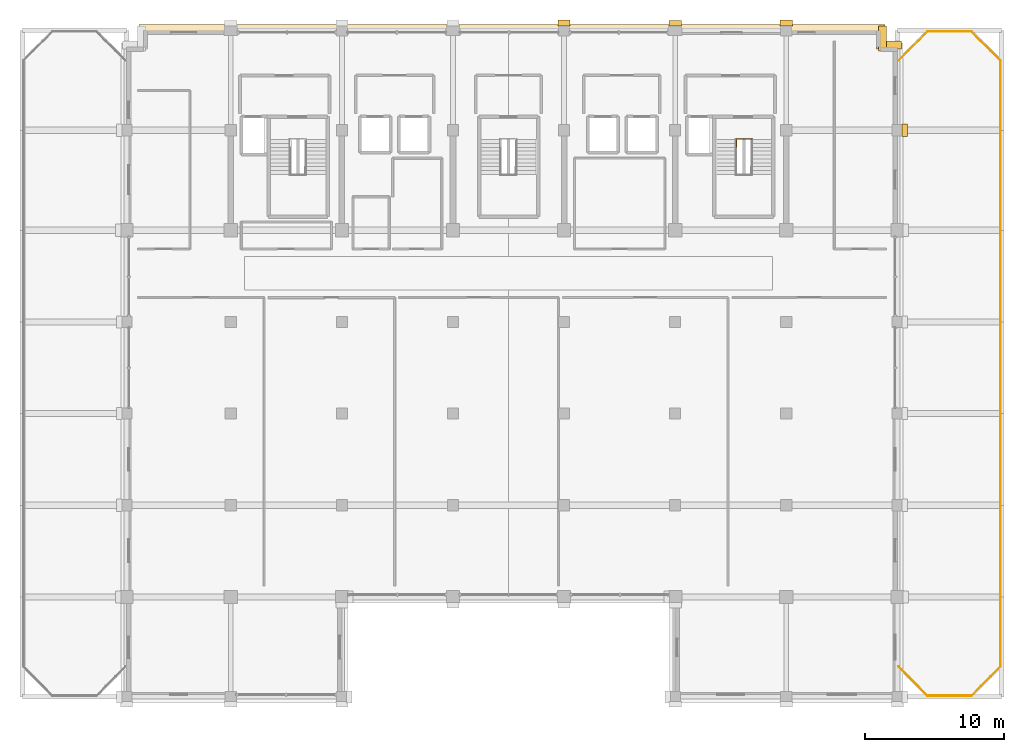
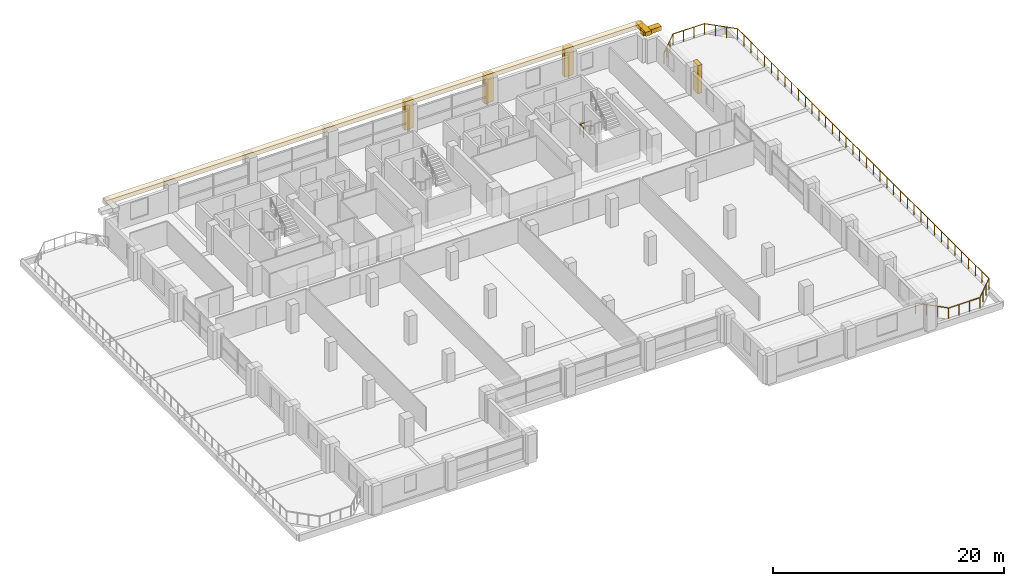
# One storey, part 22 of 22: 8 railings, 7 coverings.
"""IFC4 building model written with IfcOpenShell, lengths in metres."""

from ifc_helpers import new_model, si_unit, direction, frame, origin, origin_2d, place, context, subcontext, project, spatial, rectangle, circle, extrude, material, layer, layer_set, type_object, element, save


model = new_model("IFC4")

# Units and contexts
model_context = context("Model", 3, precision=1e-05, world=origin(), true_north=direction((0.0, 1.0)))
body_context = subcontext(model_context, "Body", "Model", "MODEL_VIEW")
ifc_project = project(units=[si_unit("LENGTHUNIT", "METRE"), si_unit("AREAUNIT", "SQUARE_METRE"), si_unit("VOLUMEUNIT", "CUBIC_METRE"), si_unit("PLANEANGLEUNIT", "RADIAN"), si_unit("MASSUNIT", "GRAM", prefix="KILO")], contexts=[model_context])

# Site, building, storey
site_placement = place(None, origin())
site = spatial("IfcSite", under=ifc_project, at=site_placement, CompositionType="ELEMENT")
building_placement = place(site_placement, origin())
building = spatial("IfcBuilding", under=site, at=building_placement, Name="Akrevak Sports Hall", CompositionType="ELEMENT")
storey_placement = place(building_placement, frame((0.0, 0.0, 40.550048828125)))
storey = spatial("IfcBuildingStorey", under=building, at=storey_placement, Name="L09", CompositionType="ELEMENT", Elevation=40.550048828125)

# Coverings
ifc_material_1 = material(Name="Limestone Ashlar", Category="stone")
ifc_layer_1 = layer(ifc_material_1, 0.6201171875, Name="Limestone Ashlar")
ifc_layer_set_1 = layer_set([ifc_layer_1], Name="Limestone Ashlar")
covering_type_1 = type_object("IfcCoveringType", Name="ARC-COV-CRN-LIM", PredefinedType="MOLDING", material=ifc_layer_set_1)
for number, where, z_axis, x_axis, name in (
    (1, (107.39990234375, 68.530029296875, 2.949951171875), (0.0, 0.0, 1.0), (-1.0, 0.0, 0.0), "Mid-Tower Setback Stone Cornice L09-SET-07"),
    (2, (106.929931640625, 69.0, 2.949951171875), (0.0, 0.0, 1.0), (0.0, 1.0, 0.0), "Mid-Tower Setback Stone Cornice L09-SET-08"),
):
    element("IfcCovering", number, at=place(storey_placement, frame(where, z_axis=z_axis, x_axis=x_axis)), inside=storey, type_object=covering_type_1, Name=name, PredefinedType="MOLDING", context=body_context, shape_type="SweptSolid", body=[
        extrude(rectangle(XDim=1.7880859375, YDim=0.580078125, at=origin_2d()), origin(), (0.0, 0.0, 1.0), 0.43994140625),
    ])
covering_placement = place(storey_placement, frame((80.25, 69.72998046875, 2.949951171875), z_axis=(0.0, 0.0, 1.0), x_axis=(-1.0, 0.0, 0.0)))
element("IfcCovering", 3, at=covering_placement, inside=storey, type_object=covering_type_1, Name="Mid-Tower Setback Stone Cornice L09-SET-09", PredefinedType="MOLDING", context=body_context, shape_type="SweptSolid", body=[
    extrude(rectangle(XDim=53.68798828125, YDim=0.580078125, at=origin_2d()), origin(), (0.0, 0.0, 1.0), 0.43994140625),
])
ifc_layer_2 = layer(ifc_material_1, 0.47998046875, Name="Limestone Ashlar")
ifc_layer_set_2 = layer_set([ifc_layer_2], Name="Limestone Ashlar")
covering_type_2 = type_object("IfcCoveringType", Name="ARC-COV-PIL-LIM", PredefinedType="CLADDING", material=ifc_layer_set_2)
for number, where, z_axis, x_axis, name in (
    (4, (108.530029296875, 62.39990234375, 0.0), (0.0, 0.0, 1.0), (0.0, 1.0, 0.0), "Giant-Order Limestone Pilaster L09-06-16"),
    (5, (84.0, 70.1298828125, 0.0), (0.0, 0.0, 1.0), (-1.0, 0.0, 0.0), "Giant-Order Limestone Pilaster L09-09-20"),
    (6, (92.0, 70.10498046875, 0.0), (0.0, 0.0, 1.0), (-1.0, 0.0, 0.0), "Giant-Order Limestone Pilaster L09-09-21"),
    (7, (100.0, 70.1298828125, 0.0), (0.0, 0.0, 1.0), (-1.0, 0.0, 0.0), "Giant-Order Limestone Pilaster L09-09-22"),
):
    element("IfcCovering", number, at=place(storey_placement, frame(where, z_axis=z_axis, x_axis=x_axis)), inside=storey, type_object=covering_type_2, Name=name, PredefinedType="CLADDING", context=body_context, shape_type="SweptSolid", body=[
        extrude(rectangle(XDim=0.8798828125, YDim=0.419921875, at=origin_2d()), origin(), (0.0, 0.0, 1.0), 3.010009765625),
    ])

# Railings
ifc_material_2 = material(Name="Limestone Ashlar & Bronze Cap", Category="stone")
ifc_layer_3 = layer(ifc_material_2, 0.1201171875, Name="Limestone Ashlar & Bronze Cap")
ifc_layer_set_3 = layer_set([ifc_layer_3], Name="Limestone Ashlar & Bronze Cap")
railing_type_1 = type_object("IfcRailingType", Name="ARC-RL-BAL-1150", PredefinedType="BALUSTRADE", material=ifc_layer_set_3)
railing_1_placement = place(storey_placement, frame((110.179931640625, 21.679931640625, 0.0)))
element("IfcRailing", 8, at=railing_1_placement, inside=storey, type_object=railing_type_1, Name="Terrace Perimeter Balustrade L09-2.1", PredefinedType="BALUSTRADE", context=body_context, shape_type="SweptSolid", body=[
    extrude(circle(Radius=0.02392578125, at=origin_2d()), frame((0.0, 0.0, 1.1259765625), z_axis=(1.0, 0.0, 0.0), x_axis=(0.0, 1.0, 0.0)), (0.0, 0.0, 1.0), 3.14013671875),
    extrude(circle(Radius=0.02099609375, at=origin_2d()), origin(), (0.0, 0.0, 1.0), 1.101806640625),
    extrude(circle(Radius=0.02099609375, at=origin_2d()), frame((1.046630859375, 0.0, 0.0)), (0.0, 0.0, 1.0), 1.101806640625),
    extrude(circle(Radius=0.02099609375, at=origin_2d()), frame((2.093505859375, 0.0, 0.0)), (0.0, 0.0, 1.0), 1.101806640625),
    extrude(circle(Radius=0.02099609375, at=origin_2d()), frame((3.14013671875, 0.0, 0.0)), (0.0, 0.0, 1.0), 1.101806640625),
])
railing_2_placement = place(storey_placement, frame((113.320068359375, 21.679931640625, 0.0)))
element("IfcRailing", 9, at=railing_2_placement, inside=storey, type_object=railing_type_1, Name="Terrace Perimeter Balustrade L09-2.2", PredefinedType="BALUSTRADE", context=body_context, shape_type="SweptSolid", body=[
    extrude(circle(Radius=0.02392578125, at=origin_2d()), frame((0.0, 0.0, 1.1259765625), z_axis=(0.707065676302, 0.707147883682, 0.0), x_axis=(-0.707147883682, 0.707065676302, 0.0)), (0.0, 0.0, 1.0), 2.9697265625),
    extrude(circle(Radius=0.02099609375, at=origin_2d()), origin(), (0.0, 0.0, 1.0), 1.101806640625),
    extrude(circle(Radius=0.02099609375, at=origin_2d()), frame((0.699951171875, 0.699951171875, 0.0)), (0.0, 0.0, 1.0), 1.101806640625),
    extrude(circle(Radius=0.02099609375, at=origin_2d()), frame((1.39990234375, 1.400146484375, 0.0)), (0.0, 0.0, 1.0), 1.101806640625),
    extrude(circle(Radius=0.02099609375, at=origin_2d()), frame((2.099853515625, 2.10009765625, 0.0)), (0.0, 0.0, 1.0), 1.101806640625),
])
railing_3_placement = place(storey_placement, frame((115.419921875, 23.780029296875, 0.0)))
element("IfcRailing", 10, at=railing_3_placement, inside=storey, type_object=railing_type_1, Name="Terrace Perimeter Balustrade L09-2.3", PredefinedType="BALUSTRADE", context=body_context, shape_type="SweptSolid", body=[
    extrude(circle(Radius=0.02392578125, at=origin_2d()), frame((0.0, 0.0, 1.1259765625), z_axis=(0.0, 1.0, 0.0), x_axis=(-1.0, 0.0, 0.0)), (0.0, 0.0, 1.0), 43.639892578125),
    extrude(circle(Radius=0.02099609375, at=origin_2d()), origin(), (0.0, 0.0, 1.0), 1.101806640625),
    extrude(circle(Radius=0.02099609375, at=origin_2d()), frame((0.0, 1.179443359375, 0.0)), (0.0, 0.0, 1.0), 1.101806640625),
    extrude(circle(Radius=0.02099609375, at=origin_2d()), frame((0.0, 2.35888671875, 0.0)), (0.0, 0.0, 1.0), 1.101806640625),
    extrude(circle(Radius=0.02099609375, at=origin_2d()), frame((0.0, 3.538330078125, 0.0)), (0.0, 0.0, 1.0), 1.101806640625),
    extrude(circle(Radius=0.02099609375, at=origin_2d()), frame((0.0, 4.7177734375, 0.0)), (0.0, 0.0, 1.0), 1.101806640625),
    extrude(circle(Radius=0.02099609375, at=origin_2d()), frame((0.0, 5.897216796875, 0.0)), (0.0, 0.0, 1.0), 1.101806640625),
    extrude(circle(Radius=0.02099609375, at=origin_2d()), frame((0.0, 7.07666015625, 0.0)), (0.0, 0.0, 1.0), 1.101806640625),
    extrude(circle(Radius=0.02099609375, at=origin_2d()), frame((0.0, 8.256103515625, 0.0)), (0.0, 0.0, 1.0), 1.101806640625),
    extrude(circle(Radius=0.02099609375, at=origin_2d()), frame((0.0, 9.435546875, 0.0)), (0.0, 0.0, 1.0), 1.101806640625),
    extrude(circle(Radius=0.02099609375, at=origin_2d()), frame((0.0, 10.614990234375, 0.0)), (0.0, 0.0, 1.0), 1.101806640625),
    extrude(circle(Radius=0.02099609375, at=origin_2d()), frame((0.0, 11.794677734375, 0.0)), (0.0, 0.0, 1.0), 1.101806640625),
    extrude(circle(Radius=0.02099609375, at=origin_2d()), frame((0.0, 12.97412109375, 0.0)), (0.0, 0.0, 1.0), 1.101806640625),
    extrude(circle(Radius=0.02099609375, at=origin_2d()), frame((0.0, 14.153564453125, 0.0)), (0.0, 0.0, 1.0), 1.101806640625),
    extrude(circle(Radius=0.02099609375, at=origin_2d()), frame((0.0, 15.3330078125, 0.0)), (0.0, 0.0, 1.0), 1.101806640625),
    extrude(circle(Radius=0.02099609375, at=origin_2d()), frame((0.0, 16.512451171875, 0.0)), (0.0, 0.0, 1.0), 1.101806640625),
    extrude(circle(Radius=0.02099609375, at=origin_2d()), frame((0.0, 17.69189453125, 0.0)), (0.0, 0.0, 1.0), 1.101806640625),
    extrude(circle(Radius=0.02099609375, at=origin_2d()), frame((0.0, 18.871337890625, 0.0)), (0.0, 0.0, 1.0), 1.101806640625),
    extrude(circle(Radius=0.02099609375, at=origin_2d()), frame((0.0, 20.05078125, 0.0)), (0.0, 0.0, 1.0), 1.101806640625),
    extrude(circle(Radius=0.02099609375, at=origin_2d()), frame((0.0, 21.230224609375, 0.0)), (0.0, 0.0, 1.0), 1.101806640625),
    extrude(circle(Radius=0.02099609375, at=origin_2d()), frame((0.0, 22.40966796875, 0.0)), (0.0, 0.0, 1.0), 1.101806640625),
    extrude(circle(Radius=0.02099609375, at=origin_2d()), frame((0.0, 23.589111328125, 0.0)), (0.0, 0.0, 1.0), 1.101806640625),
    extrude(circle(Radius=0.02099609375, at=origin_2d()), frame((0.0, 24.7685546875, 0.0)), (0.0, 0.0, 1.0), 1.101806640625),
    extrude(circle(Radius=0.02099609375, at=origin_2d()), frame((0.0, 25.947998046875, 0.0)), (0.0, 0.0, 1.0), 1.101806640625),
    extrude(circle(Radius=0.02099609375, at=origin_2d()), frame((0.0, 27.12744140625, 0.0)), (0.0, 0.0, 1.0), 1.101806640625),
    extrude(circle(Radius=0.02099609375, at=origin_2d()), frame((0.0, 28.306884765625, 0.0)), (0.0, 0.0, 1.0), 1.101806640625),
    extrude(circle(Radius=0.02099609375, at=origin_2d()), frame((0.0, 29.486328125, 0.0)), (0.0, 0.0, 1.0), 1.101806640625),
    extrude(circle(Radius=0.02099609375, at=origin_2d()), frame((0.0, 30.665771484375, 0.0)), (0.0, 0.0, 1.0), 1.101806640625),
    extrude(circle(Radius=0.02099609375, at=origin_2d()), frame((0.0, 31.84521484375, 0.0)), (0.0, 0.0, 1.0), 1.101806640625),
    extrude(circle(Radius=0.02099609375, at=origin_2d()), frame((0.0, 33.02490234375, 0.0)), (0.0, 0.0, 1.0), 1.101806640625),
    extrude(circle(Radius=0.02099609375, at=origin_2d()), frame((0.0, 34.204345703125, 0.0)), (0.0, 0.0, 1.0), 1.101806640625),
    extrude(circle(Radius=0.02099609375, at=origin_2d()), frame((0.0, 35.3837890625, 0.0)), (0.0, 0.0, 1.0), 1.101806640625),
    extrude(circle(Radius=0.02099609375, at=origin_2d()), frame((0.0, 36.563232421875, 0.0)), (0.0, 0.0, 1.0), 1.101806640625),
    extrude(circle(Radius=0.02099609375, at=origin_2d()), frame((0.0, 37.74267578125, 0.0)), (0.0, 0.0, 1.0), 1.101806640625),
    extrude(circle(Radius=0.02099609375, at=origin_2d()), frame((0.0, 38.922119140625, 0.0)), (0.0, 0.0, 1.0), 1.101806640625),
    extrude(circle(Radius=0.02099609375, at=origin_2d()), frame((0.0, 40.1015625, 0.0)), (0.0, 0.0, 1.0), 1.101806640625),
    extrude(circle(Radius=0.02099609375, at=origin_2d()), frame((0.0, 41.281005859375, 0.0)), (0.0, 0.0, 1.0), 1.101806640625),
    extrude(circle(Radius=0.02099609375, at=origin_2d()), frame((0.0, 42.46044921875, 0.0)), (0.0, 0.0, 1.0), 1.101806640625),
    extrude(circle(Radius=0.02099609375, at=origin_2d()), frame((0.0, 43.639892578125, 0.0)), (0.0, 0.0, 1.0), 1.101806640625),
])
railing_4_placement = place(storey_placement, frame((115.419921875, 67.419921875, 0.0)))
element("IfcRailing", 11, at=railing_4_placement, inside=storey, type_object=railing_type_1, Name="Terrace Perimeter Balustrade L09-2.4", PredefinedType="BALUSTRADE", context=body_context, shape_type="SweptSolid", body=[
    extrude(circle(Radius=0.02392578125, at=origin_2d()), frame((0.0, 0.0, 1.1259765625), z_axis=(-0.707065676302, 0.707147883682, 0.0), x_axis=(-0.707147883682, -0.707065676302, 0.0)), (0.0, 0.0, 1.0), 2.9697265625),
    extrude(circle(Radius=0.02099609375, at=origin_2d()), origin(), (0.0, 0.0, 1.0), 1.101806640625),
    extrude(circle(Radius=0.02099609375, at=origin_2d()), frame((-0.699951171875, 0.699951171875, 0.0)), (0.0, 0.0, 1.0), 1.101806640625),
    extrude(circle(Radius=0.02099609375, at=origin_2d()), frame((-1.39990234375, 1.400146484375, 0.0)), (0.0, 0.0, 1.0), 1.101806640625),
    extrude(circle(Radius=0.02099609375, at=origin_2d()), frame((-2.099853515625, 2.10009765625, 0.0)), (0.0, 0.0, 1.0), 1.101806640625),
])
railing_5_placement = place(storey_placement, frame((113.320068359375, 69.52001953125, 0.0)))
element("IfcRailing", 12, at=railing_5_placement, inside=storey, type_object=railing_type_1, Name="Terrace Perimeter Balustrade L09-2.5", PredefinedType="BALUSTRADE", context=body_context, shape_type="SweptSolid", body=[
    extrude(circle(Radius=0.02392578125, at=origin_2d()), frame((0.0, 0.0, 1.1259765625), z_axis=(-1.0, 0.0, 0.0), x_axis=(0.0, -1.0, 0.0)), (0.0, 0.0, 1.0), 3.14013671875),
    extrude(circle(Radius=0.02099609375, at=origin_2d()), origin(), (0.0, 0.0, 1.0), 1.101806640625),
    extrude(circle(Radius=0.02099609375, at=origin_2d()), frame((-1.046630859375, 0.0, 0.0)), (0.0, 0.0, 1.0), 1.101806640625),
    extrude(circle(Radius=0.02099609375, at=origin_2d()), frame((-2.093505859375, 0.0, 0.0)), (0.0, 0.0, 1.0), 1.101806640625),
    extrude(circle(Radius=0.02099609375, at=origin_2d()), frame((-3.14013671875, 0.0, 0.0)), (0.0, 0.0, 1.0), 1.101806640625),
])
railing_6_placement = place(storey_placement, frame((110.179931640625, 69.52001953125, 0.0)))
element("IfcRailing", 13, at=railing_6_placement, inside=storey, type_object=railing_type_1, Name="Terrace Perimeter Balustrade L09-2.6", PredefinedType="BALUSTRADE", context=body_context, shape_type="SweptSolid", body=[
    extrude(circle(Radius=0.02392578125, at=origin_2d()), frame((0.0, 0.0, 1.1259765625), z_axis=(-0.707065676302, -0.707147883682, 0.0), x_axis=(0.707147883682, -0.707065676302, 0.0)), (0.0, 0.0, 1.0), 2.9697265625),
    extrude(circle(Radius=0.02099609375, at=origin_2d()), origin(), (0.0, 0.0, 1.0), 1.101806640625),
    extrude(circle(Radius=0.02099609375, at=origin_2d()), frame((-0.699951171875, -0.699951171875, 0.0)), (0.0, 0.0, 1.0), 1.101806640625),
    extrude(circle(Radius=0.02099609375, at=origin_2d()), frame((-1.39990234375, -1.400146484375, 0.0)), (0.0, 0.0, 1.0), 1.101806640625),
    extrude(circle(Radius=0.02099609375, at=origin_2d()), frame((-2.099853515625, -2.10009765625, 0.0)), (0.0, 0.0, 1.0), 1.101806640625),
])
railing_7_placement = place(storey_placement, frame((108.080078125, 23.780029296875, 0.0)))
element("IfcRailing", 14, at=railing_7_placement, inside=storey, type_object=railing_type_1, Name="Terrace Perimeter Balustrade L09-2.8", PredefinedType="BALUSTRADE", context=body_context, shape_type="SweptSolid", body=[
    extrude(circle(Radius=0.02392578125, at=origin_2d()), frame((0.0, 0.0, 1.1259765625), z_axis=(0.707065676302, -0.707147883682, 0.0), x_axis=(0.707147883682, 0.707065676302, 0.0)), (0.0, 0.0, 1.0), 2.9697265625),
    extrude(circle(Radius=0.02099609375, at=origin_2d()), origin(), (0.0, 0.0, 1.0), 1.101806640625),
    extrude(circle(Radius=0.02099609375, at=origin_2d()), frame((0.699951171875, -0.699951171875, 0.0)), (0.0, 0.0, 1.0), 1.101806640625),
    extrude(circle(Radius=0.02099609375, at=origin_2d()), frame((1.39990234375, -1.400146484375, 0.0)), (0.0, 0.0, 1.0), 1.101806640625),
    extrude(circle(Radius=0.02099609375, at=origin_2d()), frame((2.099853515625, -2.10009765625, 0.0)), (0.0, 0.0, 1.0), 1.101806640625),
])
ifc_material_3 = material(Name="Painted Architectural Balustrade Steel", Category="steel")
ifc_layer_4 = layer(ifc_material_3, 0.06005859375, Name="Painted Architectural Balustrade Steel")
ifc_layer_set_4 = layer_set([ifc_layer_4], Name="Painted Architectural Balustrade Steel")
railing_type_2 = type_object("IfcRailingType", Name="ARC-RL-GRD-1120", PredefinedType="GUARDRAIL", material=ifc_layer_set_4)
railing_8_placement = place(storey_placement, frame((96.409912109375, 61.215087890625, 0.0)))
element("IfcRailing", 15, at=railing_8_placement, inside=storey, type_object=railing_type_2, Name="Stair Floor Landing Well Guard ST2 (L09)", PredefinedType="GUARDRAIL", context=body_context, shape_type="SweptSolid", body=[
    extrude(circle(Radius=0.02392578125, at=origin_2d()), frame((0.0, 0.0, 1.09619140625), z_axis=(0.0, 1.0, 0.0), x_axis=(-1.0, 0.0, 0.0)), (0.0, 0.0, 1.0), 0.5498046875),
    extrude(circle(Radius=0.02392578125, at=origin_2d()), frame((0.0, 0.5498046875, 1.09619140625), z_axis=(1.0, 0.0, 0.0), x_axis=(0.0, 1.0, 0.0)), (0.0, 0.0, 1.0), 1.110107421875),
    extrude(circle(Radius=0.02099609375, at=origin_2d()), origin(), (0.0, 0.0, 1.0), 1.072021484375),
    extrude(circle(Radius=0.02099609375, at=origin_2d()), frame((0.0, 0.5498046875, 0.0)), (0.0, 0.0, 1.0), 1.072021484375),
    extrude(circle(Radius=0.02099609375, at=origin_2d()), frame((1.110107421875, 0.5498046875, 0.0)), (0.0, 0.0, 1.0), 1.072021484375),
])

save(model, "model.ifc")
